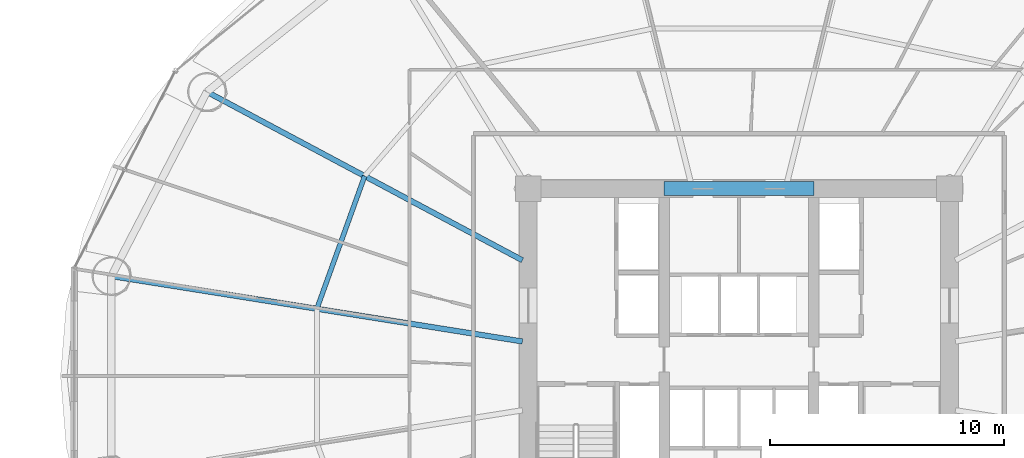
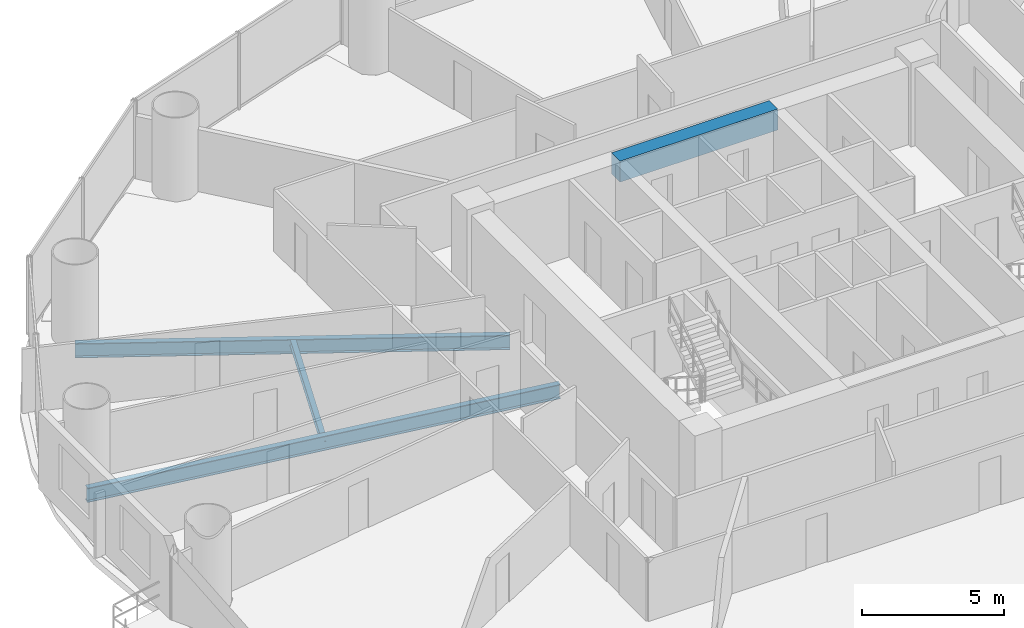
# One storey, part 7 of 28: 4 beams.
"""IFC4 building model written with IfcOpenShell, lengths in metres."""

from ifc_helpers import new_model, si_unit, direction, frame, origin, origin_2d, place, context, subcontext, project, spatial, rectangle, i_section, extrude, material, material_profile, profile_set, type_object, element, save


model = new_model("IFC4")

# Units and contexts
model_context = context("Model", 3, precision=1e-05, world=origin(), true_north=direction((-0.2419218956, 0.970295726276)))
body_context = subcontext(model_context, "Body", "Model", "MODEL_VIEW")
ifc_project = project(units=[si_unit("LENGTHUNIT", "METRE"), si_unit("AREAUNIT", "SQUARE_METRE"), si_unit("VOLUMEUNIT", "CUBIC_METRE"), si_unit("PLANEANGLEUNIT", "RADIAN"), si_unit("MASSUNIT", "GRAM", prefix="KILO")], contexts=[model_context])

# Site, building, storey
site_placement = place(None, origin())
site = spatial("IfcSite", under=ifc_project, at=site_placement, CompositionType="ELEMENT")
building_placement = place(site_placement, origin())
building = spatial("IfcBuilding", under=site, at=building_placement, Name="Cobrevalo Terracotta Tower", CompositionType="ELEMENT")
storey_placement = place(building_placement, frame((0.0, 0.0, 42.0)))
storey = spatial("IfcBuildingStorey", under=building, at=storey_placement, Name="L10", CompositionType="ELEMENT", Elevation=42.0)

# Beams
ifc_material_1 = material(Name="Concrete C60", Category="concrete")
ifc_material_profile_1 = material_profile(ifc_material_1, rectangle(XDim=0.60009765625, YDim=0.89990234375, at=origin_2d()), Name="RC CB 600x900")
ifc_profile_set_1 = profile_set([ifc_material_profile_1], Name="Concrete C60")
beam_type_1 = type_object("IfcBeamType", Name="Structural Beam RC CB 600x900 (Concrete C60)", PredefinedType="BEAM", material=ifc_profile_set_1)
beam_1_placement = place(storey_placement, frame((34.800048828125, 34.800048828125, 2.8701171875), z_axis=(1.0, 0.0, 0.0), x_axis=(0.0, 1.0, 0.0)))
element("IfcBeam", 1, at=beam_1_placement, inside=storey, type_object=beam_type_1, Name="L10 core coupling beam 2", PredefinedType="BEAM", context=body_context, shape_type="SweptSolid", body=[
    extrude(rectangle(XDim=0.60009765625, YDim=0.89990234375, at=origin_2d()), origin(), (0.0, 0.0, 1.0), 6.39990234375),
])
ifc_material_2 = material(Name="Steel S355", Category="steel")
ifc_material_profile_2 = material_profile(ifc_material_2, i_section(OverallWidth=0.22998046875, OverallDepth=0.616943359375, WebThickness=0.01318359375, FlangeThickness=0.022216796875, at=origin_2d()), Name="W 610x140")
ifc_profile_set_2 = profile_set([ifc_material_profile_2], Name="Steel S355")
beam_type_2 = type_object("IfcBeamType", Name="Structural Beam W 610x140 (Steel S355)", PredefinedType="BEAM", material=ifc_profile_set_2)
beam_2_placement = place(storey_placement, frame((15.25927734375, 38.939208984375, -0.58837890625), z_axis=(0.88218223571, -0.470908168329, 0.0), x_axis=(0.470908168329, 0.88218223571, 0.0)))
element("IfcBeam", 2, at=beam_2_placement, inside=storey, type_object=beam_type_2, Name="L10 radial floor girder 07", PredefinedType="BEAM", context=body_context, shape_type="SweptSolid", body=[
    extrude(i_section(OverallWidth=0.22998046875, OverallDepth=0.616943359375, WebThickness=0.01318359375, FlangeThickness=0.022216796875, at=origin_2d()), origin(), (0.0, 0.0, 1.0), 15.286865234375),
])
beam_3_placement = place(storey_placement, frame((11.175537109375, 31.062744140625, -0.58837890625), z_axis=(0.987607924622, -0.156941349628, 0.0), x_axis=(0.156941349628, 0.987607924622, 0.0)))
element("IfcBeam", 3, at=beam_3_placement, inside=storey, type_object=beam_type_2, Name="L10 radial floor girder 08", PredefinedType="BEAM", context=body_context, shape_type="SweptSolid", body=[
    extrude(i_section(OverallWidth=0.22998046875, OverallDepth=0.616943359375, WebThickness=0.01318359375, FlangeThickness=0.022216796875, at=origin_2d()), origin(), (0.0, 0.0, 1.0), 17.7900390625),
])
ifc_material_profile_3 = material_profile(ifc_material_2, i_section(OverallWidth=0.2041015625, OverallDepth=0.305908203125, WebThickness=0.008544921875, FlangeThickness=0.0146484375, at=origin_2d()), Name="W 310x67")
ifc_profile_set_3 = profile_set([ifc_material_profile_3], Name="Steel S355")
beam_type_3 = type_object("IfcBeamType", Name="Structural Joist W 310x67 (Steel S355)", PredefinedType="JOIST", material=ifc_profile_set_3)
beam_4_placement = place(storey_placement, frame((22.002197265625, 35.33984375, -0.43310546875), z_axis=(-0.338672151116, -0.940904444701, 0.0), x_axis=(0.940904444701, -0.338672151116, 0.0)))
element("IfcBeam", 4, at=beam_4_placement, inside=storey, type_object=beam_type_3, Name="L10 circumferential secondary floor joist 07", PredefinedType="JOIST", context=body_context, shape_type="SweptSolid", body=[
    extrude(i_section(OverallWidth=0.2041015625, OverallDepth=0.305908203125, WebThickness=0.008544921875, FlangeThickness=0.0146484375, at=origin_2d()), origin(), (0.0, 0.0, 1.0), 6.029296875),
])

save(model, "model.ifc")
